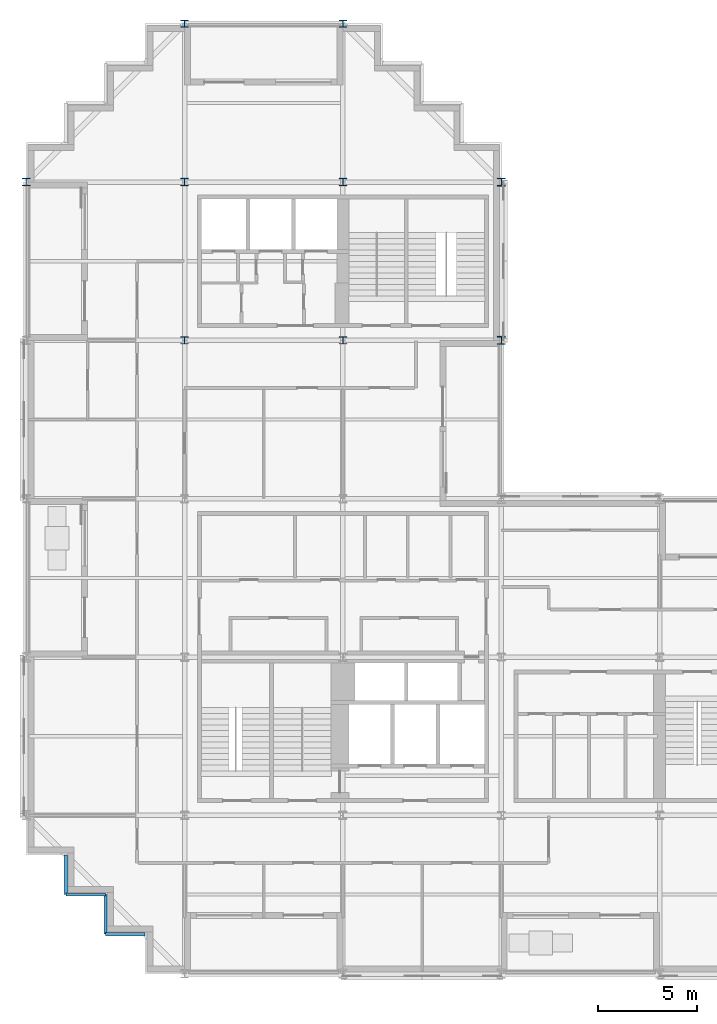
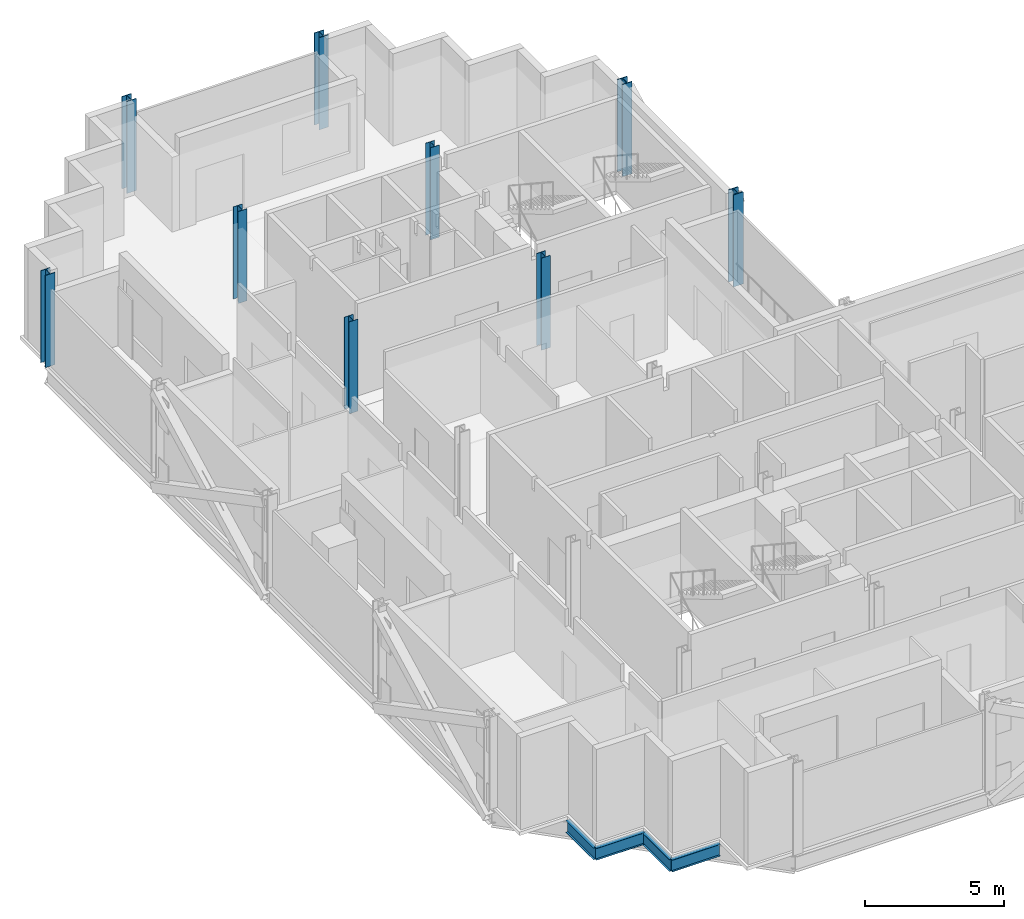
# One storey, part 2 of 13: 9 columns, 4 beams.
"""IFC4 building model written with IfcOpenShell, lengths in metres."""

from ifc_helpers import new_model, si_unit, direction, frame, origin, origin_2d, place, context, subcontext, project, spatial, i_section, extrude, material, material_profile, profile_set, type_object, element, save


model = new_model("IFC4")

# Units and contexts
model_context = context("Model", 3, precision=1e-05, world=origin(), true_north=direction((0.0, 1.0)))
body_context = subcontext(model_context, "Body", "Model", "MODEL_VIEW")
ifc_project = project(units=[si_unit("LENGTHUNIT", "METRE"), si_unit("AREAUNIT", "SQUARE_METRE"), si_unit("VOLUMEUNIT", "CUBIC_METRE"), si_unit("PLANEANGLEUNIT", "RADIAN"), si_unit("MASSUNIT", "GRAM", prefix="KILO")], contexts=[model_context])

# Site, building, storey
site_placement = place(None, origin())
site = spatial("IfcSite", under=ifc_project, at=site_placement, CompositionType="ELEMENT")
building_placement = place(site_placement, origin())
building = spatial("IfcBuilding", under=site, at=building_placement, Name="Immortelle Media Tower", CompositionType="ELEMENT")
storey_placement = place(building_placement, frame((0.0, 0.0, 128.39990234375)))
storey = spatial("IfcBuildingStorey", under=building, at=storey_placement, Name="L25", CompositionType="ELEMENT", Elevation=128.39990234375)

# Columns
ifc_material = material(Name="Steel ASTM A992 Gr 50", Category="steel")
ifc_material_profile_1 = material_profile(ifc_material, i_section(OverallWidth=0.39404296875, OverallDepth=0.3759765625, WebThickness=0.01708984375, FlangeThickness=0.028076171875, at=origin_2d()), Name="W14x145")
ifc_profile_set_1 = profile_set([ifc_material_profile_1], Name="Steel ASTM A992 Gr 50")
column_type_1 = type_object("IfcColumnType", Name="W14x145 column", PredefinedType="COLUMN", material=ifc_profile_set_1)
for number, where, z_axis, x_axis, name in (
    (1, (0.0, 40.0, 0.0), (0.0, 0.0, 1.0), (1.0, 0.0, 0.0), "Column 1/F"),
    (2, (8.0, 48.0, 0.0), (0.0, 0.0, 1.0), (1.0, 0.0, 0.0), "Column 2/G"),
    (3, (16.0, 48.0, 0.0), (0.0, 0.0, 1.0), (1.0, 0.0, 0.0), "Column 3/G"),
):
    element("IfcColumn", number, at=place(storey_placement, frame(where, z_axis=z_axis, x_axis=x_axis)), inside=storey, type_object=column_type_1, Name=name, PredefinedType="COLUMN", context=body_context, shape_type="SweptSolid", body=[
        extrude(i_section(OverallWidth=0.39404296875, OverallDepth=0.3759765625, WebThickness=0.01708984375, FlangeThickness=0.028076171875, at=origin_2d()), origin(), (0.0, 0.0, 1.0), 4.050048828125),
    ])
ifc_material_profile_2 = material_profile(ifc_material, i_section(OverallWidth=0.40087890625, OverallDepth=0.39892578125, WebThickness=0.02490234375, FlangeThickness=0.0400390625, at=origin_2d()), Name="W14x211")
ifc_profile_set_2 = profile_set([ifc_material_profile_2], Name="Steel ASTM A992 Gr 50")
column_type_2 = type_object("IfcColumnType", Name="W14x211 column", PredefinedType="COLUMN", material=ifc_profile_set_2)
for number, where, z_axis, x_axis, name in (
    (4, (24.0, 32.0, 0.0), (0.0, 0.0, 1.0), (1.0, 0.0, 0.0), "Column 4/E"),
    (5, (24.0, 40.0, 0.0), (0.0, 0.0, 1.0), (1.0, 0.0, 0.0), "Column 4/F"),
):
    element("IfcColumn", number, at=place(storey_placement, frame(where, z_axis=z_axis, x_axis=x_axis)), inside=storey, type_object=column_type_2, Name=name, PredefinedType="COLUMN", context=body_context, shape_type="SweptSolid", body=[
        extrude(i_section(OverallWidth=0.40087890625, OverallDepth=0.39892578125, WebThickness=0.02490234375, FlangeThickness=0.0400390625, at=origin_2d()), origin(), (0.0, 0.0, 1.0), 4.050048828125),
    ])
ifc_material_profile_3 = material_profile(ifc_material, i_section(OverallWidth=0.37109375, OverallDepth=0.361083984375, WebThickness=0.011962890625, FlangeThickness=0.02001953125, at=origin_2d()), Name="W14x99")
ifc_profile_set_3 = profile_set([ifc_material_profile_3], Name="Steel ASTM A992 Gr 50")
column_type_3 = type_object("IfcColumnType", Name="W14x99 column", PredefinedType="COLUMN", material=ifc_profile_set_3)
for number, where, z_axis, x_axis, name in (
    (6, (8.0, 32.0, 0.0), (0.0, 0.0, 1.0), (1.0, 0.0, 0.0), "Column 2/E"),
    (7, (8.0, 40.0, 0.0), (0.0, 0.0, 1.0), (1.0, 0.0, 0.0), "Column 2/F"),
    (8, (16.0, 32.0, 0.0), (0.0, 0.0, 1.0), (1.0, 0.0, 0.0), "Column 3/E"),
    (9, (16.0, 40.0, 0.0), (0.0, 0.0, 1.0), (1.0, 0.0, 0.0), "Column 3/F"),
):
    element("IfcColumn", number, at=place(storey_placement, frame(where, z_axis=z_axis, x_axis=x_axis)), inside=storey, type_object=column_type_3, Name=name, PredefinedType="COLUMN", context=body_context, shape_type="SweptSolid", body=[
        extrude(i_section(OverallWidth=0.37109375, OverallDepth=0.361083984375, WebThickness=0.011962890625, FlangeThickness=0.02001953125, at=origin_2d()), origin(), (0.0, 0.0, 1.0), 4.050048828125),
    ])

# Beams
ifc_material_profile_4 = material_profile(ifc_material, i_section(OverallWidth=0.1650390625, OverallDepth=0.52587890625, WebThickness=0.009033203125, FlangeThickness=0.010986328125, at=origin_2d()), Name="W21x44")
ifc_profile_set_4 = profile_set([ifc_material_profile_4], Name="Steel ASTM A992 Gr 50")
beam_type = type_object("IfcBeamType", Name="W21x44 serration edge beam", PredefinedType="SPANDREL", material=ifc_profile_set_4)
for number, where, z_axis, x_axis, name in (
    (10, (6.0, 2.0, -0.412841796875), (-1.0, 0.0, 0.0), (0.0, -1.0, 0.0), "Corner edge beam 1 at 1/A"),
    (11, (4.0, 2.0, -0.412841796875), (0.0, 1.0, 0.0), (-1.0, 0.0, 0.0), "Corner edge beam 2 at 1/A"),
    (12, (4.0, 4.0, -0.412841796875), (-1.0, 0.0, 0.0), (0.0, -1.0, 0.0), "Corner edge beam 3 at 1/A"),
    (13, (2.0, 4.0, -0.412841796875), (0.0, 1.0, 0.0), (-1.0, 0.0, 0.0), "Corner edge beam 4 at 1/A"),
):
    element("IfcBeam", number, at=place(storey_placement, frame(where, z_axis=z_axis, x_axis=x_axis)), inside=storey, type_object=beam_type, Name=name, PredefinedType="SPANDREL", context=body_context, shape_type="SweptSolid", body=[
        extrude(i_section(OverallWidth=0.1650390625, OverallDepth=0.52587890625, WebThickness=0.009033203125, FlangeThickness=0.010986328125, at=origin_2d()), origin(), (0.0, 0.0, 1.0), 2.0),
    ])

save(model, "model.ifc")
